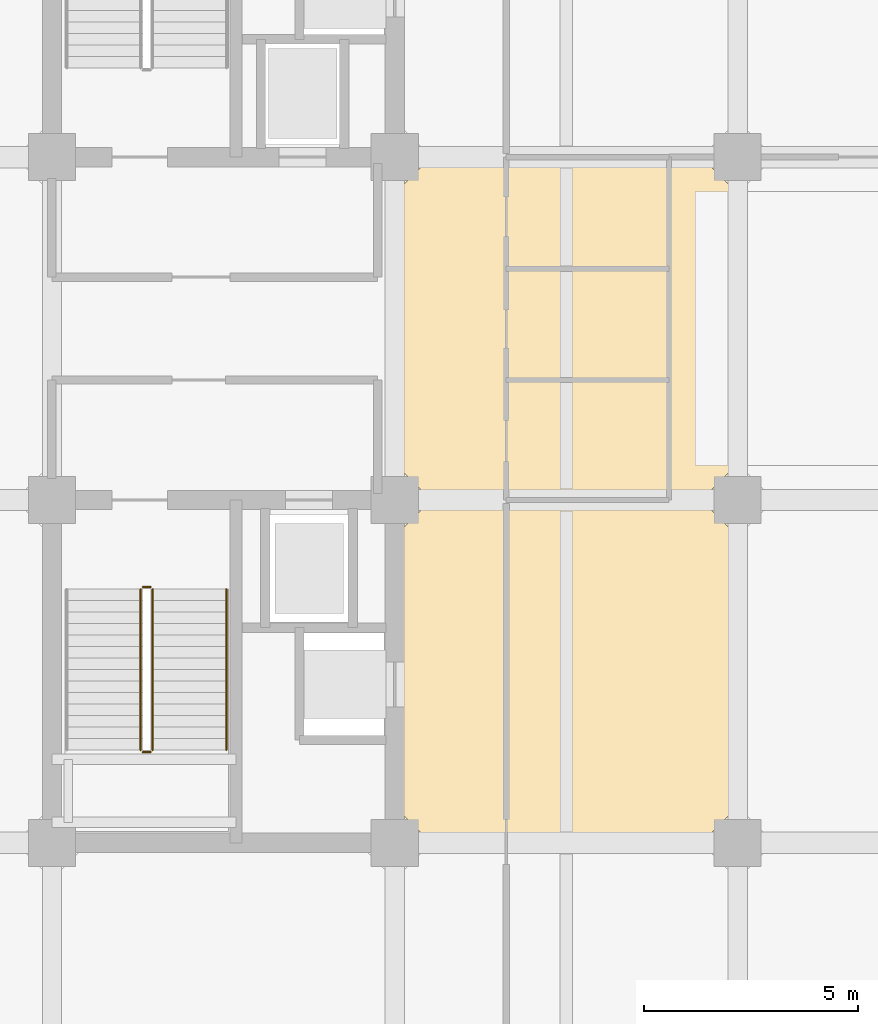
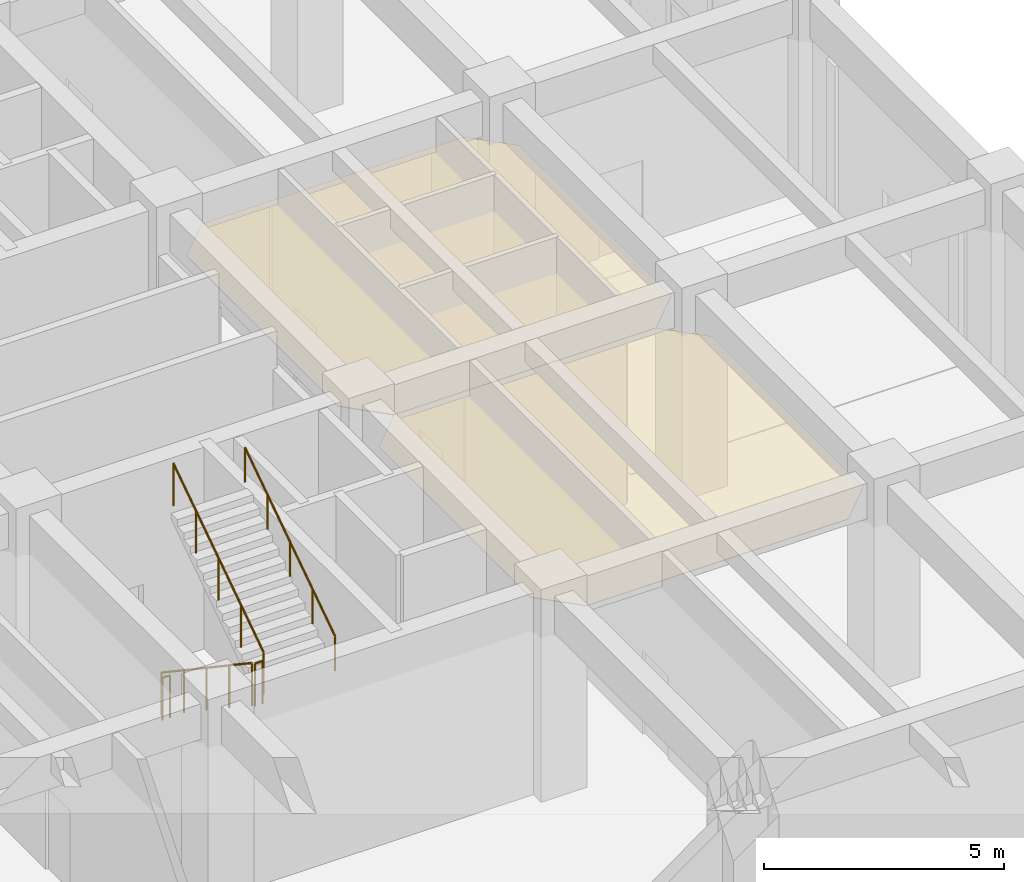
# One storey, part 87 of 90: 5 railings, 2 coverings.
"""IFC4 building model written with IfcOpenShell, lengths in metres."""

import ifcopenshell
import ifcopenshell.guid

model = None  # the IFC model being written
_history = None  # IfcOwnerHistory: only IFC2X3 demands one
_inside = {}  # id of a spatial element -> (the spatial element, [elements in it])
_under = {}  # id of a project, library or spatial element -> (it, [spatial elements below it])
_declared = {}  # id of a project -> (the project, [libraries it declares])
_typed = {}  # id of a type object -> (the type object, [elements of that type])
_made_of = {}  # id of a material, layer set ... -> (it, [elements and type objects made of it])


def new_model(schema):
    """Start an empty IFC model of exactly this schema.

    Asked for "IFC4X3", IfcOpenShell would pick the latest addendum, in which some entities
    have other attributes; the version numbers below select the first issue.
    IFC2X3 requires an IfcOwnerHistory on every rooted entity: one is made here for all.
    """
    global model, _history
    if schema == "IFC4X3":
        model = ifcopenshell.file(schema_version=(4, 3, 0, 0))
    else:
        model = ifcopenshell.file(schema=schema)
    _inside.clear()
    _under.clear()
    _declared.clear()
    _typed.clear()
    _made_of.clear()
    _history = None
    if model.schema == "IFC2X3":
        org = make("IfcOrganization", Name="unknown")
        user = make(
            "IfcPersonAndOrganization",
            ThePerson=make("IfcPerson", FamilyName="unknown"),
            TheOrganization=org,
        )
        app = make(
            "IfcApplication",
            ApplicationDeveloper=org,
            Version="unknown",
            ApplicationFullName="unknown",
            ApplicationIdentifier="unknown",
        )
        _history = make(
            "IfcOwnerHistory",
            OwningUser=user,
            OwningApplication=app,
            ChangeAction="ADDED",
            CreationDate=0,
        )
    return model


def make(cls, **values):
    """One entity of the class cls with the attributes given. An attribute that is None is left unset."""
    return model.create_entity(
        cls, **{name: value for name, value in values.items() if value is not None}
    )


def rooted(cls, **values):
    """An entity with a GlobalId (a new one), such as an element, a storey or a relation."""
    return make(cls, GlobalId=ifcopenshell.guid.new(), OwnerHistory=_history, **values)


def si_unit(unit_type, name, prefix=None):
    """IfcSIUnit, for example si_unit("LENGTHUNIT", "METRE", prefix="MILLI")."""
    return make("IfcSIUnit", UnitType=unit_type, Prefix=prefix, Name=name)


def assignment(units):
    """IfcUnitAssignment: the units of a project."""
    return None if units is None else make("IfcUnitAssignment", Units=units)


def point(xyz):
    """IfcCartesianPoint."""
    return None if xyz is None else make("IfcCartesianPoint", Coordinates=xyz)


def direction(xyz):
    """IfcDirection."""
    return None if xyz is None else make("IfcDirection", DirectionRatios=xyz)


def frame(location, z_axis=None, x_axis=None):
    """IfcAxis2Placement3D, a coordinate frame: its origin and axes. An axis left out is left unset."""
    return make(
        "IfcAxis2Placement3D",
        Location=point(location),
        Axis=direction(z_axis),
        RefDirection=direction(x_axis),
    )


def frame_2d(location, x_axis=None):
    """IfcAxis2Placement2D, a coordinate frame in the plane: its origin and x axis."""
    return make(
        "IfcAxis2Placement2D", Location=point(location), RefDirection=direction(x_axis)
    )


def origin():
    """The frame at (0, 0, 0) with its axes left unset."""
    return frame((0.0, 0.0, 0.0))


def origin_2d():
    """The frame at (0, 0) in the plane with its x axis left unset."""
    return frame_2d((0.0, 0.0))


def place(relative_to, where):
    """IfcLocalPlacement: puts the frame where relative to a parent placement (None: the world)."""
    return make(
        "IfcLocalPlacement", PlacementRelTo=relative_to, RelativePlacement=where
    )


def context(
    kind, dimensions, precision=None, world=None, true_north=None, identifier=None
):
    """IfcGeometricRepresentationContext, for example the 3D "Model" context."""
    return make(
        "IfcGeometricRepresentationContext",
        ContextIdentifier=identifier,
        ContextType=kind,
        CoordinateSpaceDimension=dimensions,
        Precision=precision,
        WorldCoordinateSystem=world,
        TrueNorth=true_north,
    )


def subcontext(parent, identifier, kind, view, scale=None):
    """IfcGeometricRepresentationSubContext, for example "Body" below "Model"."""
    return make(
        "IfcGeometricRepresentationSubContext",
        ContextIdentifier=identifier,
        ContextType=kind,
        ParentContext=parent,
        TargetScale=scale,
        TargetView=view,
    )


def project(units=None, contexts=None):
    """IfcProject with its units and contexts."""
    return rooted(
        "IfcProject",
        Name="project",
        RepresentationContexts=contexts,
        UnitsInContext=assignment(units),
    )


def spatial(cls, under=None, at=None, **own):
    """A site, building, storey or space (cls), placed at a placement, below another one or the project."""
    s = rooted(cls, ObjectPlacement=at, **own)
    if under is not None:
        _under.setdefault(under.id(), (under, []))[1].append(s)
    return s


def polyline(points):
    """IfcPolyline through the points."""
    return make("IfcPolyline", Points=[point(p) for p in points])


def profile(cls, at=None, kind="AREA", **sizes):
    """A parametric profile (cls). Its sizes go by their IFC names, for example OverallWidth=200.0."""
    return make(cls, ProfileType=kind, Position=at, **sizes)


def circle(**sizes):
    """IfcCircleProfileDef."""
    return profile("IfcCircleProfileDef", **sizes)


def outline(outer, holes=None, kind="AREA"):
    """IfcArbitraryClosedProfileDef: a profile drawn as a closed curve; with holes, ...WithVoids."""
    if holes is None:
        return make("IfcArbitraryClosedProfileDef", ProfileType=kind, OuterCurve=outer)
    return make(
        "IfcArbitraryProfileDefWithVoids",
        ProfileType=kind,
        OuterCurve=outer,
        InnerCurves=holes,
    )


def extrude(swept, where, along, depth):
    """IfcExtrudedAreaSolid: the profile swept, set in the frame where, extruded along a direction by depth."""
    return make(
        "IfcExtrudedAreaSolid",
        SweptArea=swept,
        Position=where,
        ExtrudedDirection=direction(along),
        Depth=depth,
    )


def shape(context_of_items, identifier, shape_type, items):
    """IfcShapeRepresentation: the items that make up one representation, for example the "Body"."""
    return make(
        "IfcShapeRepresentation",
        ContextOfItems=context_of_items,
        RepresentationIdentifier=identifier,
        RepresentationType=shape_type,
        Items=items,
    )


def material(Name=None, Category=None):
    """IfcMaterial."""
    return make("IfcMaterial", Name=Name, Category=Category)


def layer(
    of_material, thickness, ventilated=None, Name=None, Category=None, Priority=None
):
    """IfcMaterialLayer: one layer of a wall or slab, of a material (None: an air gap)."""
    return make(
        "IfcMaterialLayer",
        Material=of_material,
        LayerThickness=thickness,
        IsVentilated=ventilated,
        Name=Name,
        Category=Category,
        Priority=Priority,
    )


def layer_set(layers, Name=None):
    """IfcMaterialLayerSet."""
    return make("IfcMaterialLayerSet", MaterialLayers=layers, LayerSetName=Name)


def made_of(thing, what):
    """Note that an element or type object is made of a material, layer set ...; save() writes the relation."""
    if what is not None:
        _made_of.setdefault(what.id(), (what, []))[1].append(thing)
    return thing


def type_object(cls, material=None, **own):
    """A type object (cls), such as IfcWallType, which elements share."""
    return made_of(rooted(cls, **own), material)


def element(
    cls,
    number,
    at=None,
    inside=None,
    cuts=None,
    type_object=None,
    material=None,
    context=None,
    identifier="Body",
    shape_type=None,
    held_by="IfcProductDefinitionShape",
    body=None,
    shapes=None,
    **own,
):
    """One element of the class cls, such as IfcWall. Its Tag is "e" and its number.

    at: its placement. inside: the storey or other place that contains it. cuts: it is an
    opening in that element (IfcRelVoidsElement). A single representation is given by context,
    identifier, shape_type and body (its items); several are given by shapes. held_by: the class
    of the entity that holds the representations. save() writes the other relations.
    """
    e = rooted(cls, Tag="e%d" % number, ObjectPlacement=at, **own)
    if body is not None:
        shapes = [shape(context, identifier, shape_type, body)]
    if shapes is not None:
        e.Representation = make(held_by, Representations=shapes)
    if inside is not None:
        _inside.setdefault(inside.id(), (inside, []))[1].append(e)
    if cuts is not None:
        rooted(
            "IfcRelVoidsElement", RelatingBuildingElement=cuts, RelatedOpeningElement=e
        )
    if type_object is not None:
        _typed.setdefault(type_object.id(), (type_object, []))[1].append(e)
    return made_of(e, material)


def aggregate(whole, parts):
    """IfcRelAggregates: a whole, such as a stair, and the parts it consists of."""
    return rooted("IfcRelAggregates", RelatingObject=whole, RelatedObjects=parts)


def save(model, path):
    """Write the relations noted so far, then the file.

    IfcRelAggregates (storeys below a building ...), IfcRelContainedInSpatialStructure (elements
    in a storey), IfcRelDefinesByType, IfcRelAssociatesMaterial and IfcRelDeclares: one each for
    every whole, place, type object, material and project.
    """
    for whole, parts in _under.values():
        aggregate(whole, parts)
    for where, things in _inside.values():
        rooted(
            "IfcRelContainedInSpatialStructure",
            RelatedElements=things,
            RelatingStructure=where,
        )
    for kind, things in _typed.values():
        rooted("IfcRelDefinesByType", RelatedObjects=things, RelatingType=kind)
    for what, things in _made_of.values():
        rooted("IfcRelAssociatesMaterial", RelatedObjects=things, RelatingMaterial=what)
    for by, libraries in _declared.values():
        rooted("IfcRelDeclares", RelatingContext=by, RelatedDefinitions=libraries)
    model.write(path)


model = new_model("IFC4")

# Units and contexts
model_context = context("Model", 3, precision=1e-05, world=origin(), true_north=direction((0.0, 1.0)))
body_context = subcontext(model_context, "Body", "Model", "MODEL_VIEW")
ifc_project = project(units=[si_unit("LENGTHUNIT", "METRE"), si_unit("AREAUNIT", "SQUARE_METRE"), si_unit("VOLUMEUNIT", "CUBIC_METRE"), si_unit("PLANEANGLEUNIT", "RADIAN"), si_unit("MASSUNIT", "GRAM", prefix="KILO")], contexts=[model_context])

# Site, building, storey
site_placement = place(None, origin())
site = spatial("IfcSite", under=ifc_project, at=site_placement, CompositionType="ELEMENT")
building_placement = place(site_placement, origin())
building = spatial("IfcBuilding", under=site, at=building_placement, Name="Canggui Botanical Conservatory", CompositionType="ELEMENT")
storey_placement = place(building_placement, origin())
storey = spatial("IfcBuildingStorey", under=building, at=storey_placement, Name="L01", CompositionType="ELEMENT", Elevation=0.0)

# Coverings
ifc_material_1 = material(Name="Mineral Fibre Acoustic Board")
ifc_layer_1 = layer(ifc_material_1, 0.014892578125, Name="Mineral Fibre Acoustic Board")
ifc_layer_set_1 = layer_set([ifc_layer_1], Name="Mineral Fibre Acoustic Board")
covering_type_1 = type_object("IfcCoveringType", Name="COV-CEIL-15", PredefinedType="CEILING", material=ifc_layer_set_1)
covering_1_placement = place(storey_placement, frame((0.0, 0.0, 4.155029296875)))
element("IfcCovering", 1, at=covering_1_placement, inside=storey, type_object=covering_type_1, Name="Suspended Acoustic Ceiling L01-162-42", PredefinedType="CEILING", context=body_context, shape_type="SweptSolid", body=[
    extrude(outline(polyline([(162.85009765625, 42.0), (169.14990234375, 42.0), (170.0, 42.85009765625), (170.0, 49.14990234375), (169.14990234375, 50.0), (162.85009765625, 50.0), (162.0, 49.14990234375), (162.0, 42.85009765625), (162.85009765625, 42.0)])), origin(), (0.0, 0.0, 1.0), 0.014892578125),
])
ifc_material_2 = material(Name="Perforated Gypsum Acoustic Panel")
ifc_layer_2 = layer(ifc_material_2, 0.02001953125, Name="Perforated Gypsum Acoustic Panel")
ifc_layer_set_2 = layer_set([ifc_layer_2], Name="Perforated Gypsum Acoustic Panel")
covering_type_2 = type_object("IfcCoveringType", Name="COV-CEIL-20", PredefinedType="CEILING", material=ifc_layer_set_2)
covering_2_placement = place(storey_placement, frame((0.0, 0.0, 4.14990234375)))
element("IfcCovering", 2, at=covering_2_placement, inside=storey, type_object=covering_type_2, Name="Suspended Acoustic Ceiling L01-162-50", PredefinedType="CEILING", context=body_context, shape_type="SweptSolid", body=[
    extrude(outline(polyline([(162.85009765625, 50.0), (169.14990234375, 50.0), (170.0, 50.85009765625), (170.0, 57.14990234375), (169.14990234375, 58.0), (162.85009765625, 58.0), (162.0, 57.14990234375), (162.0, 50.85009765625), (162.85009765625, 50.0)])), origin(), (0.0, 0.0, 1.0), 0.02001953125),
])

# Railings
ifc_material_3 = material(Name="Stainless Steel 304", Category="steel")
railing_type_1 = type_object("IfcRailingType", Name="RAIL-GUARD-1100", PredefinedType="BALUSTRADE", material=ifc_material_3)
railing_1_placement = place(storey_placement, frame((156.070068359375, 47.919921875, 0.179931640625)))
element("IfcRailing", 3, at=railing_1_placement, inside=storey, type_object=railing_type_1, Name="L01 ST-T1 stair guard 1", PredefinedType="BALUSTRADE", context=body_context, shape_type="SweptSolid", body=[
    extrude(circle(Radius=0.02392578125, at=origin_2d()), frame((0.0, 0.0, 1.076171875), z_axis=(0.0, -0.830133982261, 0.557563961797), x_axis=(1.0, 0.0, 0.0)), (0.0, 0.0, 1.0), 4.519775390625),
    extrude(circle(Radius=0.02099609375, at=origin_2d()), origin(), (0.0, 0.0, 1.0), 1.052001953125),
    extrude(circle(Radius=0.02099609375, at=origin_2d()), frame((0.0, -0.93798828125, 0.6298828125)), (0.0, 0.0, 1.0), 1.052001953125),
    extrude(circle(Radius=0.02099609375, at=origin_2d()), frame((0.0, -1.8759765625, 1.260009765625)), (0.0, 0.0, 1.0), 1.052001953125),
    extrude(circle(Radius=0.02099609375, at=origin_2d()), frame((0.0, -2.81396484375, 1.89013671875)), (0.0, 0.0, 1.0), 1.052001953125),
    extrude(circle(Radius=0.02099609375, at=origin_2d()), frame((0.0, -3.751953125, 2.52001953125)), (0.0, 0.0, 1.0), 1.052001953125),
])
railing_2_placement = place(storey_placement, frame((156.1201171875, 44.117919921875, 2.699951171875)))
element("IfcRailing", 4, at=railing_2_placement, inside=storey, type_object=railing_type_1, Name="L01 ST-T1 stair guard 2", PredefinedType="BALUSTRADE", context=body_context, shape_type="SweptSolid", body=[
    extrude(circle(Radius=0.02392578125, at=origin_2d()), frame((0.0, 0.0, 1.076171875), z_axis=(1.0, 0.0, 0.0), x_axis=(0.0, 1.0, 0.0)), (0.0, 0.0, 1.0), 0.179931640625),
    extrude(circle(Radius=0.02099609375, at=origin_2d()), origin(), (0.0, 0.0, 1.0), 1.052001953125),
    extrude(circle(Radius=0.02099609375, at=origin_2d()), frame((0.179931640625, 0.0, 0.0)), (0.0, 0.0, 1.0), 1.052001953125),
])
railing_3_placement = place(storey_placement, frame((156.35009765625, 44.16796875, 2.8798828125)))
element("IfcRailing", 5, at=railing_3_placement, inside=storey, type_object=railing_type_1, Name="L01 ST-T1 stair guard 3", PredefinedType="BALUSTRADE", context=body_context, shape_type="SweptSolid", body=[
    extrude(circle(Radius=0.02392578125, at=origin_2d()), frame((0.0, 0.0, 1.076171875), z_axis=(0.0, 0.830133982261, 0.557563961797), x_axis=(-1.0, 0.0, 0.0)), (0.0, 0.0, 1.0), 4.519775390625),
    extrude(circle(Radius=0.02099609375, at=origin_2d()), origin(), (0.0, 0.0, 1.0), 1.052001953125),
    extrude(circle(Radius=0.02099609375, at=origin_2d()), frame((0.0, 0.93798828125, 0.6298828125)), (0.0, 0.0, 1.0), 1.052001953125),
    extrude(circle(Radius=0.02099609375, at=origin_2d()), frame((0.0, 1.8759765625, 1.260009765625)), (0.0, 0.0, 1.0), 1.052001953125),
    extrude(circle(Radius=0.02099609375, at=origin_2d()), frame((0.0, 2.81396484375, 1.89013671875)), (0.0, 0.0, 1.0), 1.052001953125),
    extrude(circle(Radius=0.02099609375, at=origin_2d()), frame((0.0, 3.751953125, 2.52001953125)), (0.0, 0.0, 1.0), 1.052001953125),
])
railing_4_placement = place(storey_placement, frame((156.1201171875, 47.969970703125, 0.0)))
element("IfcRailing", 6, at=railing_4_placement, inside=storey, type_object=railing_type_1, Name="L01 ST-T1 stair guard 4", PredefinedType="BALUSTRADE", context=body_context, shape_type="SweptSolid", body=[
    extrude(circle(Radius=0.02392578125, at=origin_2d()), frame((0.0, 0.0, 1.076171875), z_axis=(1.0, 0.0, 0.0), x_axis=(0.0, 1.0, 0.0)), (0.0, 0.0, 1.0), 0.179931640625),
    extrude(circle(Radius=0.02099609375, at=origin_2d()), origin(), (0.0, 0.0, 1.0), 1.052001953125),
    extrude(circle(Radius=0.02099609375, at=origin_2d()), frame((0.179931640625, 0.0, 0.0)), (0.0, 0.0, 1.0), 1.052001953125),
])
railing_type_2 = type_object("IfcRailingType", Name="RAIL-HAND-900", PredefinedType="HANDRAIL", material=ifc_material_3)
railing_5_placement = place(storey_placement, frame((158.070068359375, 44.16796875, 2.8798828125)))
element("IfcRailing", 7, at=railing_5_placement, inside=storey, type_object=railing_type_2, Name="L01 ST-T1 stair handrail 2", PredefinedType="HANDRAIL", context=body_context, shape_type="SweptSolid", body=[
    extrude(circle(Radius=0.02392578125, at=origin_2d()), frame((0.0, 0.0, 0.8759765625), z_axis=(0.0, 0.830133982261, 0.557563961797), x_axis=(-1.0, 0.0, 0.0)), (0.0, 0.0, 1.0), 4.519775390625),
    extrude(circle(Radius=0.02099609375, at=origin_2d()), origin(), (0.0, 0.0, 1.0), 0.851806640625),
    extrude(circle(Radius=0.02099609375, at=origin_2d()), frame((0.0, 0.93798828125, 0.6298828125)), (0.0, 0.0, 1.0), 0.851806640625),
    extrude(circle(Radius=0.02099609375, at=origin_2d()), frame((0.0, 1.8759765625, 1.260009765625)), (0.0, 0.0, 1.0), 0.851806640625),
    extrude(circle(Radius=0.02099609375, at=origin_2d()), frame((0.0, 2.81396484375, 1.89013671875)), (0.0, 0.0, 1.0), 0.851806640625),
    extrude(circle(Radius=0.02099609375, at=origin_2d()), frame((0.0, 3.751953125, 2.52001953125)), (0.0, 0.0, 1.0), 0.851806640625),
])

save(model, "model.ifc")
